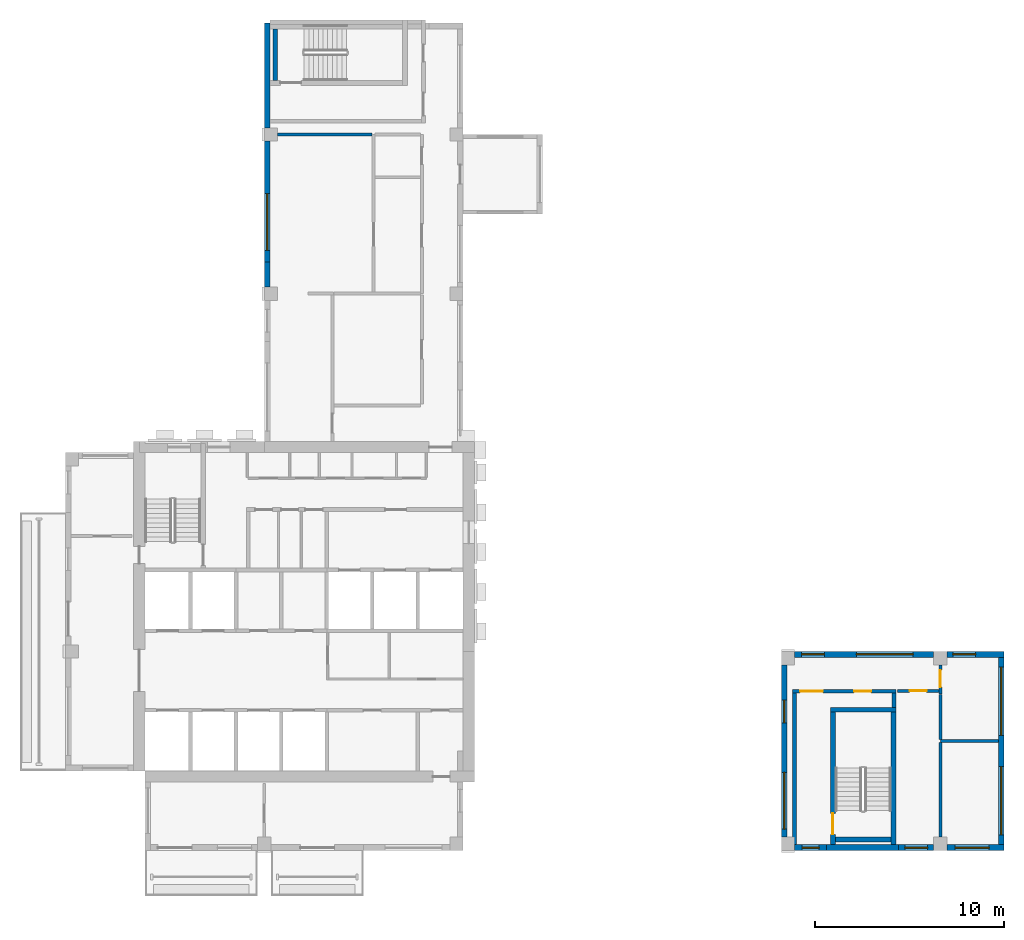
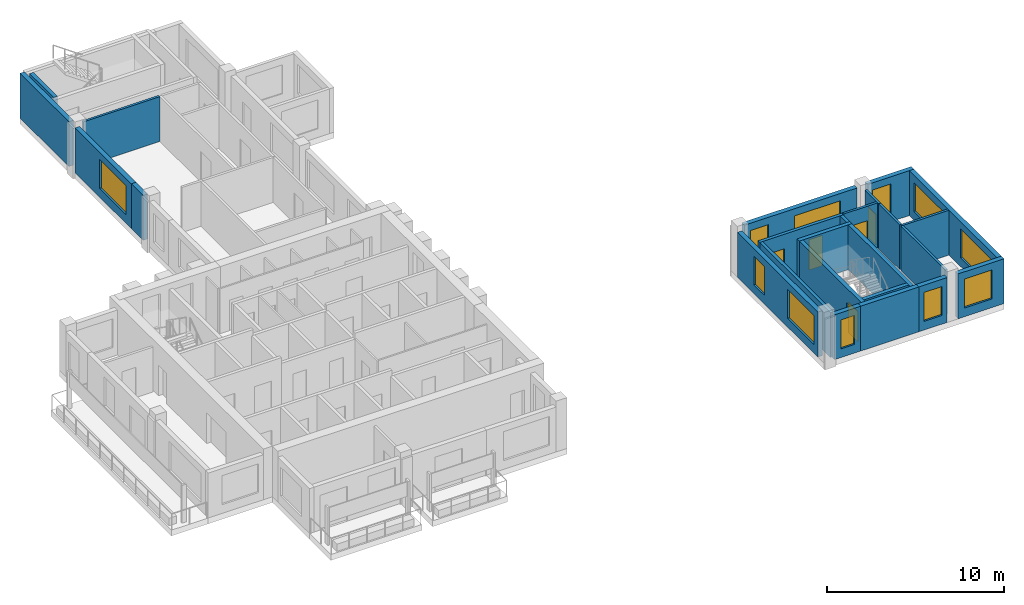
# One storey, part 4 of 9: 25 walls, 11 windows, 5 doors, 16 openings.
"""IFC4 building model written with IfcOpenShell, lengths in metres."""

from ifc_helpers import new_model, si_unit, direction, frame, frame_2d, origin, place, context, subcontext, project, spatial, rectangle, extrude, source, transform, mapped, material, layer, layer_set, type_object, element, fill, save


model = new_model("IFC4")

# Units and contexts
model_context = context("Model", 3, precision=1e-05, world=origin(), true_north=direction((0.0, 1.0)))
body_context = subcontext(model_context, "Body", "Model", "MODEL_VIEW")
ifc_project = project(units=[si_unit("LENGTHUNIT", "METRE"), si_unit("AREAUNIT", "SQUARE_METRE"), si_unit("VOLUMEUNIT", "CUBIC_METRE"), si_unit("PLANEANGLEUNIT", "RADIAN"), si_unit("MASSUNIT", "GRAM", prefix="KILO")], contexts=[model_context])

# Site, building, storey
site_placement = place(None, origin())
site = spatial("IfcSite", under=ifc_project, at=site_placement, CompositionType="ELEMENT")
building_placement = place(site_placement, origin())
building = spatial("IfcBuilding", under=site, at=building_placement, Name="Aurelian Terraces", CompositionType="ELEMENT")
storey_placement = place(building_placement, frame((0.0, 0.0, 298.5)))
storey = spatial("IfcBuildingStorey", under=building, at=storey_placement, Name="L68", CompositionType="ELEMENT", Elevation=298.5)

# Wall, opening, window
ifc_material_1 = material(Name="Terracotta rainscreen cladding", Category="masonry")
ifc_layer_1 = layer(ifc_material_1, 0.3)
ifc_layer_set_1 = layer_set([ifc_layer_1], Name="EW-300")
wall_type_1 = type_object("IfcWallType", Name="EW-300", PredefinedType="STANDARD", material=ifc_layer_set_1)
shared_shape_1 = source(origin(), body_context, "Body", "SweptSolid", [
    extrude(rectangle(XDim=3.01, YDim=0.3, at=frame_2d((1.505, 0.0))), origin(), (0.0, 0.0, 1.0), 3.1),
])
wall_1_placement = place(storey_placement, frame((46.55, 0.15, 0.0), z_axis=(0.0, 0.0, 1.0), x_axis=(1.0, 0.0, 0.0)))
wall_1 = element("IfcWall", 1, at=wall_1_placement, inside=storey, type_object=wall_type_1, Name="External wall L68 F13.24", PredefinedType="STANDARD", context=body_context, shape_type="MappedRepresentation", body=[
    mapped(shared_shape_1, transform((0.0, 0.0, 0.0), scale=1.0)),
])
shared_shape_2 = source(origin(), body_context, "Body", "SweptSolid", [
    extrude(rectangle(XDim=1.8, YDim=2.0, at=frame_2d((0.9, 1.0))), frame((0.0, 0.16, 0.0), z_axis=(0.0, -1.0, 0.0), x_axis=(1.0, 0.0, 0.0)), (0.0, 0.0, 1.0), 0.32),
])
opening_1_placement = place(wall_1_placement, frame((0.43, 0.0, 0.6)))
opening_1 = element("IfcOpeningElement", 2, at=opening_1_placement, cuts=wall_1, Name="Opening W1820", PredefinedType="OPENING", context=body_context, shape_type="MappedRepresentation", body=[
    mapped(shared_shape_2, transform((0.0, 0.0, 0.0), scale=1.0)),
])
ifc_material_2 = material(Name="Clear glazing", Category="glass")
window_type_1 = type_object("IfcWindowType", Name="W-1800x2000", PartitioningType="SINGLE_PANEL", PredefinedType="WINDOW", material=ifc_material_2)
shared_shape_3 = source(origin(), body_context, "Body", "SweptSolid", [
    extrude(rectangle(XDim=1.8, YDim=2.0, at=frame_2d((0.9, 1.0))), frame((0.0, 0.03, 0.0), z_axis=(0.0, -1.0, 0.0), x_axis=(1.0, 0.0, 0.0)), (0.0, 0.0, 1.0), 0.06),
])
window_1_placement = place(opening_1_placement, origin())
window_1 = element("IfcWindow", 3, at=window_1_placement, inside=storey, type_object=window_type_1, Name="Window L68 L68-F13-24-0", OverallHeight=2.0, OverallWidth=1.8, PartitioningType="SINGLE_PANEL", PredefinedType="WINDOW", context=body_context, shape_type="MappedRepresentation", body=[
    mapped(shared_shape_3, transform((0.0, 0.0, 0.0), scale=1.0)),
])
fill(opening_1, window_1)

wall_2_placement = place(storey_placement, frame((49.56, 10.35, 0.0), z_axis=(0.0, 0.0, 1.0), x_axis=(-1.0, 0.0, 0.0)))
wall_2 = element("IfcWall", 4, at=wall_2_placement, inside=storey, type_object=wall_type_1, Name="External wall L68 F15.26", PredefinedType="STANDARD", context=body_context, shape_type="MappedRepresentation", body=[
    mapped(shared_shape_1, transform((0.0, 0.0, 0.0), scale=1.0)),
])
shared_shape_4 = source(origin(), body_context, "Body", "SweptSolid", [
    extrude(rectangle(XDim=1.2, YDim=2.0, at=frame_2d((0.6, 1.0))), frame((0.0, 0.16, 0.0), z_axis=(0.0, -1.0, 0.0), x_axis=(1.0, 0.0, 0.0)), (0.0, 0.0, 1.0), 0.32),
])
opening_2_placement = place(wall_2_placement, frame((1.5, 0.0, 0.6)))
opening_2 = element("IfcOpeningElement", 5, at=opening_2_placement, cuts=wall_2, Name="Opening W1220", PredefinedType="OPENING", context=body_context, shape_type="MappedRepresentation", body=[
    mapped(shared_shape_4, transform((0.0, 0.0, 0.0), scale=1.0)),
])
window_type_2 = type_object("IfcWindowType", Name="W-1200x2000", PartitioningType="SINGLE_PANEL", PredefinedType="WINDOW", material=ifc_material_2)
shared_shape_5 = source(origin(), body_context, "Body", "SweptSolid", [
    extrude(rectangle(XDim=1.2, YDim=2.0, at=frame_2d((0.6, 1.0))), frame((0.0, 0.03, 0.0), z_axis=(0.0, -1.0, 0.0), x_axis=(1.0, 0.0, 0.0)), (0.0, 0.0, 1.0), 0.06),
])
window_2_placement = place(opening_2_placement, origin())
window_2 = element("IfcWindow", 6, at=window_2_placement, inside=storey, type_object=window_type_2, Name="Window L68 L68-F15-26-0", OverallHeight=2.0, OverallWidth=1.2, PartitioningType="SINGLE_PANEL", PredefinedType="WINDOW", context=body_context, shape_type="MappedRepresentation", body=[
    mapped(shared_shape_5, transform((0.0, 0.0, 0.0), scale=1.0)),
])
fill(opening_2, window_2)

# Wall
ifc_material_3 = material(Name="Concrete fc' 40 MPa", Category="concrete")
ifc_layer_2 = layer(ifc_material_3, 0.3)
ifc_layer_set_2 = layer_set([ifc_layer_2], Name="STAIR BAY WALL 300")
wall_type_2 = type_object("IfcWallType", Name="STAIR BAY WALL 300", PredefinedType="SOLIDWALL", material=ifc_layer_set_2)
shared_shape_6 = source(origin(), body_context, "Body", "SweptSolid", [
    extrude(rectangle(XDim=3.8, YDim=0.3, at=frame_2d((1.9, 0.0))), origin(), (0.0, 0.0, 1.0), 3.1),
])
wall_3_placement = place(storey_placement, frame((40.2, 0.15, 0.0), z_axis=(0.0, 0.0, 1.0), x_axis=(1.0, 0.0, 0.0)))
element("IfcWall", 7, at=wall_3_placement, inside=storey, type_object=wall_type_2, Name="Stair bay wall L68 F13.23", PredefinedType="SOLIDWALL", context=body_context, shape_type="MappedRepresentation", body=[
    mapped(shared_shape_6, transform((0.0, 0.0, 0.0), scale=1.0)),
])

# Wall, opening, window
shared_shape_7 = source(origin(), body_context, "Body", "SweptSolid", [
    extrude(rectangle(XDim=1.85, YDim=0.3, at=frame_2d((0.925, 0.0))), origin(), (0.0, 0.0, 1.0), 3.1),
])
wall_4_placement = place(storey_placement, frame((44.0, 0.15, 0.0), z_axis=(0.0, 0.0, 1.0), x_axis=(1.0, 0.0, 0.0)))
wall_4 = element("IfcWall", 8, at=wall_4_placement, inside=storey, type_object=wall_type_1, Name="External wall L68 F13.23", PredefinedType="STANDARD", context=body_context, shape_type="MappedRepresentation", body=[
    mapped(shared_shape_7, transform((0.0, 0.0, 0.0), scale=1.0)),
])
opening_3_placement = place(wall_4_placement, frame((0.325, 0.0, 0.6)))
opening_3 = element("IfcOpeningElement", 9, at=opening_3_placement, cuts=wall_4, Name="Opening W1220", PredefinedType="OPENING", context=body_context, shape_type="MappedRepresentation", body=[
    mapped(shared_shape_4, transform((0.0, 0.0, 0.0), scale=1.0)),
])
window_3_placement = place(opening_3_placement, origin())
window_3 = element("IfcWindow", 10, at=window_3_placement, inside=storey, type_object=window_type_2, Name="Window L68 L68-F13-23-P2", OverallHeight=2.0, OverallWidth=1.2, PartitioningType="SINGLE_PANEL", PredefinedType="WINDOW", context=body_context, shape_type="MappedRepresentation", body=[
    mapped(shared_shape_5, transform((0.0, 0.0, 0.0), scale=1.0)),
])
fill(opening_3, window_3)

# Wall, openings, windows
shared_shape_8 = source(origin(), body_context, "Body", "SweptSolid", [
    extrude(rectangle(XDim=10.5, YDim=0.3, at=frame_2d((5.25, 0.0))), origin(), (0.0, 0.0, 1.0), 3.1),
])
wall_5_placement = place(storey_placement, frame((49.41, 0.0, 0.0), z_axis=(0.0, 0.0, 1.0), x_axis=(0.0, 1.0, 0.0)))
wall_5 = element("IfcWall", 11, at=wall_5_placement, inside=storey, type_object=wall_type_1, Name="External wall L68 F14.25", PredefinedType="STANDARD", context=body_context, shape_type="MappedRepresentation", body=[
    mapped(shared_shape_8, transform((0.0, 0.0, 0.0), scale=1.0)),
])
shared_shape_9 = source(origin(), body_context, "Body", "SweptSolid", [
    extrude(rectangle(XDim=3.6, YDim=2.0, at=frame_2d((1.8, 1.0))), frame((0.0, 0.16, 0.0), z_axis=(0.0, -1.0, 0.0), x_axis=(1.0, 0.0, 0.0)), (0.0, 0.0, 1.0), 0.32),
])
opening_4_placement = place(wall_5_placement, frame((0.825, 0.0, 0.6)))
opening_4 = element("IfcOpeningElement", 12, at=opening_4_placement, cuts=wall_5, Name="Opening W3620", PredefinedType="OPENING", context=body_context, shape_type="MappedRepresentation", body=[
    mapped(shared_shape_9, transform((0.0, 0.0, 0.0), scale=1.0)),
])
opening_5_placement = place(wall_5_placement, frame((6.075, 0.0, 0.6)))
opening_5 = element("IfcOpeningElement", 13, at=opening_5_placement, cuts=wall_5, Name="Opening W3620", PredefinedType="OPENING", context=body_context, shape_type="MappedRepresentation", body=[
    mapped(shared_shape_9, transform((0.0, 0.0, 0.0), scale=1.0)),
])
window_type_3 = type_object("IfcWindowType", Name="W-3600x2000", PartitioningType="SINGLE_PANEL", PredefinedType="WINDOW", material=ifc_material_2)
shared_shape_10 = source(origin(), body_context, "Body", "SweptSolid", [
    extrude(rectangle(XDim=3.6, YDim=2.0, at=frame_2d((1.8, 1.0))), frame((0.0, 0.03, 0.0), z_axis=(0.0, -1.0, 0.0), x_axis=(1.0, 0.0, 0.0)), (0.0, 0.0, 1.0), 0.06),
])
window_4_placement = place(opening_4_placement, origin())
window_4 = element("IfcWindow", 14, at=window_4_placement, inside=storey, type_object=window_type_3, Name="Window L68 L68-F14-25-0", OverallHeight=2.0, OverallWidth=3.6, PartitioningType="SINGLE_PANEL", PredefinedType="WINDOW", context=body_context, shape_type="MappedRepresentation", body=[
    mapped(shared_shape_10, transform((0.0, 0.0, 0.0), scale=1.0)),
])
fill(opening_4, window_4)
window_5_placement = place(opening_5_placement, origin())
window_5 = element("IfcWindow", 15, at=window_5_placement, inside=storey, type_object=window_type_3, Name="Window L68 L68-F14-25-1", OverallHeight=2.0, OverallWidth=3.6, PartitioningType="SINGLE_PANEL", PredefinedType="WINDOW", context=body_context, shape_type="MappedRepresentation", body=[
    mapped(shared_shape_10, transform((0.0, 0.0, 0.0), scale=1.0)),
])
fill(opening_5, window_5)

# Wall
shared_shape_11 = source(origin(), body_context, "Body", "SweptSolid", [
    extrude(rectangle(XDim=5.53, YDim=0.3, at=frame_2d((2.765, 0.0))), origin(), (0.0, 0.0, 1.0), 3.1),
])
wall_6_placement = place(storey_placement, frame((10.65, 43.68, 0.0), z_axis=(0.0, 0.0, 1.0), x_axis=(0.0, -1.0, 0.0)))
element("IfcWall", 16, at=wall_6_placement, inside=storey, type_object=wall_type_2, Name="Stair bay wall L68 F04.11", PredefinedType="SOLIDWALL", context=body_context, shape_type="MappedRepresentation", body=[
    mapped(shared_shape_11, transform((0.0, 0.0, 0.0), scale=1.0)),
])

# Wall, opening, window
shared_shape_12 = source(origin(), body_context, "Body", "SweptSolid", [
    extrude(rectangle(XDim=6.37, YDim=0.3, at=frame_2d((3.185, 0.0))), origin(), (0.0, 0.0, 1.0), 3.1),
])
wall_7_placement = place(storey_placement, frame((10.65, 37.45, 0.0), z_axis=(0.0, 0.0, 1.0), x_axis=(0.0, -1.0, 0.0)))
wall_7 = element("IfcWall", 17, at=wall_7_placement, inside=storey, type_object=wall_type_1, Name="External wall L68 F04.11", PredefinedType="STANDARD", context=body_context, shape_type="MappedRepresentation", body=[
    mapped(shared_shape_12, transform((0.0, 0.0, 0.0), scale=1.0)),
])
shared_shape_13 = source(origin(), body_context, "Body", "SweptSolid", [
    extrude(rectangle(XDim=3.0, YDim=2.0, at=frame_2d((1.5, 1.0))), frame((0.0, 0.16, 0.0), z_axis=(0.0, -1.0, 0.0), x_axis=(1.0, 0.0, 0.0)), (0.0, 0.0, 1.0), 0.32),
])
opening_6_placement = place(wall_7_placement, frame((2.77, 0.0, 0.6)))
opening_6 = element("IfcOpeningElement", 18, at=opening_6_placement, cuts=wall_7, Name="Opening W3020", PredefinedType="OPENING", context=body_context, shape_type="MappedRepresentation", body=[
    mapped(shared_shape_13, transform((0.0, 0.0, 0.0), scale=1.0)),
])
window_type_4 = type_object("IfcWindowType", Name="W-3000x2000", PartitioningType="SINGLE_PANEL", PredefinedType="WINDOW", material=ifc_material_2)
shared_shape_14 = source(origin(), body_context, "Body", "SweptSolid", [
    extrude(rectangle(XDim=3.0, YDim=2.0, at=frame_2d((1.5, 1.0))), frame((0.0, 0.03, 0.0), z_axis=(0.0, -1.0, 0.0), x_axis=(1.0, 0.0, 0.0)), (0.0, 0.0, 1.0), 0.06),
])
window_6_placement = place(opening_6_placement, origin())
window_6 = element("IfcWindow", 19, at=window_6_placement, inside=storey, type_object=window_type_4, Name="Window L68 L68-F04-11-2", OverallHeight=2.0, OverallWidth=3.0, PartitioningType="SINGLE_PANEL", PredefinedType="WINDOW", context=body_context, shape_type="MappedRepresentation", body=[
    mapped(shared_shape_14, transform((0.0, 0.0, 0.0), scale=1.0)),
])
fill(opening_6, window_6)

# Wall
shared_shape_15 = source(origin(), body_context, "Body", "SweptSolid", [
    extrude(rectangle(XDim=1.33, YDim=0.3, at=frame_2d((0.665, 0.0))), origin(), (0.0, 0.0, 1.0), 3.1),
])
wall_8_placement = place(storey_placement, frame((10.65, 31.08, 0.0), z_axis=(0.0, 0.0, 1.0), x_axis=(0.0, -1.0, 0.0)))
element("IfcWall", 20, at=wall_8_placement, inside=storey, type_object=wall_type_1, Name="External wall L68 F04.12", PredefinedType="STANDARD", context=body_context, shape_type="MappedRepresentation", body=[
    mapped(shared_shape_15, transform((0.0, 0.0, 0.0), scale=1.0)),
])

# Wall, opening, window
shared_shape_16 = source(origin(), body_context, "Body", "SweptSolid", [
    extrude(rectangle(XDim=1.7, YDim=0.3, at=frame_2d((0.85, 0.0))), origin(), (0.0, 0.0, 1.0), 3.1),
])
wall_9_placement = place(storey_placement, frame((38.5, 0.15, 0.0), z_axis=(0.0, 0.0, 1.0), x_axis=(1.0, 0.0, 0.0)))
wall_9 = element("IfcWall", 21, at=wall_9_placement, inside=storey, type_object=wall_type_1, Name="External wall L68 F13.23", PredefinedType="STANDARD", context=body_context, shape_type="MappedRepresentation", body=[
    mapped(shared_shape_16, transform((0.0, 0.0, 0.0), scale=1.0)),
])
shared_shape_17 = source(origin(), body_context, "Body", "SweptSolid", [
    extrude(rectangle(XDim=0.9, YDim=2.0, at=frame_2d((0.45, 1.0))), frame((0.0, 0.16, 0.0), z_axis=(0.0, -1.0, 0.0), x_axis=(1.0, 0.0, 0.0)), (0.0, 0.0, 1.0), 0.32),
])
opening_7_placement = place(wall_9_placement, frame((0.4, 0.0, 0.6)))
opening_7 = element("IfcOpeningElement", 22, at=opening_7_placement, cuts=wall_9, Name="Opening W0920", PredefinedType="OPENING", context=body_context, shape_type="MappedRepresentation", body=[
    mapped(shared_shape_17, transform((0.0, 0.0, 0.0), scale=1.0)),
])
window_type_5 = type_object("IfcWindowType", Name="W-900x2000", PartitioningType="SINGLE_PANEL", PredefinedType="WINDOW", material=ifc_material_2)
shared_shape_18 = source(origin(), body_context, "Body", "SweptSolid", [
    extrude(rectangle(XDim=0.9, YDim=2.0, at=frame_2d((0.45, 1.0))), frame((0.0, 0.03, 0.0), z_axis=(0.0, -1.0, 0.0), x_axis=(1.0, 0.0, 0.0)), (0.0, 0.0, 1.0), 0.06),
])
window_7_placement = place(opening_7_placement, origin())
window_7 = element("IfcWindow", 23, at=window_7_placement, inside=storey, type_object=window_type_5, Name="Window L68 L68-F13-23-P0", OverallHeight=2.0, OverallWidth=0.9, PartitioningType="SINGLE_PANEL", PredefinedType="WINDOW", context=body_context, shape_type="MappedRepresentation", body=[
    mapped(shared_shape_18, transform((0.0, 0.0, 0.0), scale=1.0)),
])
fill(opening_7, window_7)

# Wall, openings, windows
shared_shape_19 = source(origin(), body_context, "Body", "SweptSolid", [
    extrude(rectangle(XDim=7.35, YDim=0.3, at=frame_2d((3.675, 0.0))), origin(), (0.0, 0.0, 1.0), 3.1),
])
wall_10_placement = place(storey_placement, frame((45.85, 10.35, 0.0), z_axis=(0.0, 0.0, 1.0), x_axis=(-1.0, 0.0, 0.0)))
wall_10 = element("IfcWall", 24, at=wall_10_placement, inside=storey, type_object=wall_type_1, Name="External wall L68 F15.26", PredefinedType="STANDARD", context=body_context, shape_type="MappedRepresentation", body=[
    mapped(shared_shape_19, transform((0.0, 0.0, 0.0), scale=1.0)),
])
opening_8_placement = place(wall_10_placement, frame((1.09, 0.0, 0.6)))
opening_8 = element("IfcOpeningElement", 25, at=opening_8_placement, cuts=wall_10, Name="Opening W3020", PredefinedType="OPENING", context=body_context, shape_type="MappedRepresentation", body=[
    mapped(shared_shape_13, transform((0.0, 0.0, 0.0), scale=1.0)),
])
opening_9_placement = place(wall_10_placement, frame((5.77, 0.0, 0.6)))
opening_9 = element("IfcOpeningElement", 26, at=opening_9_placement, cuts=wall_10, Name="Opening W1220", PredefinedType="OPENING", context=body_context, shape_type="MappedRepresentation", body=[
    mapped(shared_shape_4, transform((0.0, 0.0, 0.0), scale=1.0)),
])
window_8_placement = place(opening_8_placement, origin())
window_8 = element("IfcWindow", 27, at=window_8_placement, inside=storey, type_object=window_type_4, Name="Window L68 L68-F15-26-1", OverallHeight=2.0, OverallWidth=3.0, PartitioningType="SINGLE_PANEL", PredefinedType="WINDOW", context=body_context, shape_type="MappedRepresentation", body=[
    mapped(shared_shape_14, transform((0.0, 0.0, 0.0), scale=1.0)),
])
fill(opening_8, window_8)
window_9_placement = place(opening_9_placement, origin())
window_9 = element("IfcWindow", 28, at=window_9_placement, inside=storey, type_object=window_type_2, Name="Window L68 L68-F15-26-2", OverallHeight=2.0, OverallWidth=1.2, PartitioningType="SINGLE_PANEL", PredefinedType="WINDOW", context=body_context, shape_type="MappedRepresentation", body=[
    mapped(shared_shape_5, transform((0.0, 0.0, 0.0), scale=1.0)),
])
fill(opening_9, window_9)

shared_shape_20 = source(origin(), body_context, "Body", "SweptSolid", [
    extrude(rectangle(XDim=9.1, YDim=0.3, at=frame_2d((4.55, 0.0))), origin(), (0.0, 0.0, 1.0), 3.1),
])
wall_11_placement = place(storey_placement, frame((37.95, 9.8, 0.0), z_axis=(0.0, 0.0, 1.0), x_axis=(0.0, -1.0, 0.0)))
wall_11 = element("IfcWall", 29, at=wall_11_placement, inside=storey, type_object=wall_type_1, Name="External wall L68 F16.27", PredefinedType="STANDARD", context=body_context, shape_type="MappedRepresentation", body=[
    mapped(shared_shape_20, transform((0.0, 0.0, 0.0), scale=1.0)),
])
opening_10_placement = place(wall_11_placement, frame((1.8625, 0.0, 0.6)))
opening_10 = element("IfcOpeningElement", 30, at=opening_10_placement, cuts=wall_11, Name="Opening W1220", PredefinedType="OPENING", context=body_context, shape_type="MappedRepresentation", body=[
    mapped(shared_shape_4, transform((0.0, 0.0, 0.0), scale=1.0)),
])
opening_11_placement = place(wall_11_placement, frame((5.675, 0.0, 0.6)))
opening_11 = element("IfcOpeningElement", 31, at=opening_11_placement, cuts=wall_11, Name="Opening W3020", PredefinedType="OPENING", context=body_context, shape_type="MappedRepresentation", body=[
    mapped(shared_shape_13, transform((0.0, 0.0, 0.0), scale=1.0)),
])
window_10_placement = place(opening_11_placement, origin())
window_10 = element("IfcWindow", 32, at=window_10_placement, inside=storey, type_object=window_type_4, Name="Window L68 L68-F16-27-1", OverallHeight=2.0, OverallWidth=3.0, PartitioningType="SINGLE_PANEL", PredefinedType="WINDOW", context=body_context, shape_type="MappedRepresentation", body=[
    mapped(shared_shape_14, transform((0.0, 0.0, 0.0), scale=1.0)),
])
fill(opening_11, window_10)
window_11_placement = place(opening_10_placement, origin())
window_11 = element("IfcWindow", 33, at=window_11_placement, inside=storey, type_object=window_type_2, Name="Window L68 L68-F16-27-0", OverallHeight=2.0, OverallWidth=1.2, PartitioningType="SINGLE_PANEL", PredefinedType="WINDOW", context=body_context, shape_type="MappedRepresentation", body=[
    mapped(shared_shape_5, transform((0.0, 0.0, 0.0), scale=1.0)),
])
fill(opening_10, window_11)

# Wall, opening, door
ifc_layer_3 = layer(ifc_material_3, 0.25)
ifc_layer_set_3 = layer_set([ifc_layer_3], Name="Stair enclosure wall 250")
wall_type_3 = type_object("IfcWallType", Name="Stair enclosure wall 250", PredefinedType="SOLIDWALL", material=ifc_layer_set_3)
shared_shape_21 = source(origin(), body_context, "Body", "SweptSolid", [
    extrude(rectangle(XDim=7.0, YDim=0.25, at=frame_2d((3.5, 0.0))), origin(), (0.0, 0.0, 1.0), 3.1),
])
wall_12_placement = place(storey_placement, frame((40.525, 0.3, 0.0), z_axis=(0.0, 0.0, 1.0), x_axis=(0.0, 1.0, 0.0)))
wall_12 = element("IfcWall", 34, at=wall_12_placement, inside=storey, type_object=wall_type_3, Name="L68 core wall ST-S2-W", PredefinedType="SOLIDWALL", context=body_context, shape_type="MappedRepresentation", body=[
    mapped(shared_shape_21, transform((0.0, 0.0, 0.0), scale=1.0)),
])
shared_shape_22 = source(origin(), body_context, "Body", "SweptSolid", [
    extrude(rectangle(XDim=1.1, YDim=2.1, at=frame_2d((0.55, 1.05))), frame((0.0, 0.135, 0.0), z_axis=(0.0, -1.0, 0.0), x_axis=(1.0, 0.0, 0.0)), (0.0, 0.0, 1.0), 0.27),
])
opening_12_placement = place(wall_12_placement, frame((0.55, 0.0, 0.0)))
opening_12 = element("IfcOpeningElement", 35, at=opening_12_placement, cuts=wall_12, Name="Opening 67125", PredefinedType="OPENING", context=body_context, shape_type="MappedRepresentation", body=[
    mapped(shared_shape_22, transform((0.0, 0.0, 0.0), scale=1.0)),
])
ifc_material_4 = material(Name="Steel door leaf", Category="steel")
door_type_1 = type_object("IfcDoorType", Name="Core fire door 1100x2100", OperationType="SINGLE_SWING_LEFT", PredefinedType="DOOR", material=ifc_material_4)
shared_shape_23 = source(origin(), body_context, "Body", "SweptSolid", [
    extrude(rectangle(XDim=1.1, YDim=2.1, at=frame_2d((0.55, 1.05))), frame((0.0, 0.025, 0.0), z_axis=(0.0, -1.0, 0.0), x_axis=(1.0, 0.0, 0.0)), (0.0, 0.0, 1.0), 0.05),
])
door_1_placement = place(opening_12_placement, origin())
door_1 = element("IfcDoor", 36, at=door_1_placement, inside=storey, type_object=door_type_1, Name="Stair door 67125", OperationType="SINGLE_SWING_LEFT", OverallHeight=2.1, OverallWidth=1.1, PredefinedType="DOOR", context=body_context, shape_type="MappedRepresentation", body=[
    mapped(shared_shape_23, transform((0.0, 0.0, 0.0), scale=1.0)),
])
fill(opening_12, door_1)

# Walls
wall_13_placement = place(storey_placement, frame((43.725, 0.3, 0.0), z_axis=(0.0, 0.0, 1.0), x_axis=(0.0, 1.0, 0.0)))
element("IfcWall", 37, at=wall_13_placement, inside=storey, type_object=wall_type_3, Name="L68 core wall ST-S2-E", PredefinedType="SOLIDWALL", context=body_context, shape_type="MappedRepresentation", body=[
    mapped(shared_shape_21, transform((0.0, 0.0, 0.0), scale=1.0)),
])
shared_shape_24 = source(origin(), body_context, "Body", "SweptSolid", [
    extrude(rectangle(XDim=3.45, YDim=0.25, at=frame_2d((1.725, 0.0))), origin(), (0.0, 0.0, 1.0), 3.1),
])
wall_14_placement = place(storey_placement, frame((40.4, 7.425, 0.0), z_axis=(0.0, 0.0, 1.0), x_axis=(1.0, 0.0, 0.0)))
element("IfcWall", 38, at=wall_14_placement, inside=storey, type_object=wall_type_3, Name="L68 core wall ST-S2-N", PredefinedType="SOLIDWALL", context=body_context, shape_type="MappedRepresentation", body=[
    mapped(shared_shape_24, transform((0.0, 0.0, 0.0), scale=1.0)),
])
ifc_material_5 = material(Name="Gypsum board on steel studs", Category="steel")
ifc_layer_4 = layer(ifc_material_5, 0.2)
ifc_layer_set_4 = layer_set([ifc_layer_4], Name="Core partition 200")
wall_type_4 = type_object("IfcWallType", Name="Core partition 200", PredefinedType="PARTITIONING", material=ifc_layer_set_4)
shared_shape_25 = source(origin(), body_context, "Body", "SweptSolid", [
    extrude(rectangle(XDim=8.0, YDim=0.2, at=frame_2d((4.0, 0.0))), origin(), (0.0, 0.0, 1.0), 3.1),
])
wall_15_placement = place(storey_placement, frame((38.5, 0.3, 0.0), z_axis=(0.0, 0.0, 1.0), x_axis=(0.0, 1.0, 0.0)))
element("IfcWall", 39, at=wall_15_placement, inside=storey, type_object=wall_type_4, Name="L68 core wall ST-S2-VW", PredefinedType="PARTITIONING", context=body_context, shape_type="MappedRepresentation", body=[
    mapped(shared_shape_25, transform((0.0, 0.0, 0.0), scale=1.0)),
])

# Wall, openings, doors
shared_shape_26 = source(origin(), body_context, "Body", "SweptSolid", [
    extrude(rectangle(XDim=5.45, YDim=0.2, at=frame_2d((2.725, 0.0))), origin(), (0.0, 0.0, 1.0), 3.1),
])
wall_16_placement = place(storey_placement, frame((38.4, 8.4, 0.0), z_axis=(0.0, 0.0, 1.0), x_axis=(1.0, 0.0, 0.0)))
wall_16 = element("IfcWall", 40, at=wall_16_placement, inside=storey, type_object=wall_type_4, Name="L68 core wall ST-S2-BN", PredefinedType="PARTITIONING", context=body_context, shape_type="MappedRepresentation", body=[
    mapped(shared_shape_26, transform((0.0, 0.0, 0.0), scale=1.0)),
])
shared_shape_27 = source(origin(), body_context, "Body", "SweptSolid", [
    extrude(rectangle(XDim=1.2, YDim=2.1, at=frame_2d((0.6, 1.05))), frame((0.0, 0.11, 0.0), z_axis=(0.0, -1.0, 0.0), x_axis=(1.0, 0.0, 0.0)), (0.0, 0.0, 1.0), 0.22),
])
opening_13_placement = place(wall_16_placement, frame((0.4, 0.0, 0.0)))
opening_13 = element("IfcOpeningElement", 41, at=opening_13_placement, cuts=wall_16, Name="Opening 67126", PredefinedType="OPENING", context=body_context, shape_type="MappedRepresentation", body=[
    mapped(shared_shape_27, transform((0.0, 0.0, 0.0), scale=1.0)),
])
shared_shape_28 = source(origin(), body_context, "Body", "SweptSolid", [
    extrude(rectangle(XDim=0.9, YDim=2.1, at=frame_2d((0.45, 1.05))), frame((0.0, 0.11, 0.0), z_axis=(0.0, -1.0, 0.0), x_axis=(1.0, 0.0, 0.0)), (0.0, 0.0, 1.0), 0.22),
])
opening_14_placement = place(wall_16_placement, frame((3.25, 0.0, 0.0)))
opening_14 = element("IfcOpeningElement", 42, at=opening_14_placement, cuts=wall_16, Name="Opening 67127", PredefinedType="OPENING", context=body_context, shape_type="MappedRepresentation", body=[
    mapped(shared_shape_28, transform((0.0, 0.0, 0.0), scale=1.0)),
])
door_type_2 = type_object("IfcDoorType", Name="Core riser door 900x2100", OperationType="SINGLE_SWING_LEFT", PredefinedType="DOOR", material=ifc_material_4)
shared_shape_29 = source(origin(), body_context, "Body", "SweptSolid", [
    extrude(rectangle(XDim=0.9, YDim=2.1, at=frame_2d((0.45, 1.05))), frame((0.0, 0.025, 0.0), z_axis=(0.0, -1.0, 0.0), x_axis=(1.0, 0.0, 0.0)), (0.0, 0.0, 1.0), 0.05),
])
door_2_placement = place(opening_14_placement, origin())
door_2 = element("IfcDoor", 43, at=door_2_placement, inside=storey, type_object=door_type_2, Name="Riser door 67127", OperationType="SINGLE_SWING_LEFT", OverallHeight=2.1, OverallWidth=0.9, PredefinedType="DOOR", context=body_context, shape_type="MappedRepresentation", body=[
    mapped(shared_shape_29, transform((0.0, 0.0, 0.0), scale=1.0)),
])
fill(opening_14, door_2)
door_type_3 = type_object("IfcDoorType", Name="Core fire door 1200x2100 right", OperationType="SINGLE_SWING_RIGHT", PredefinedType="DOOR", material=ifc_material_4)
shared_shape_30 = source(origin(), body_context, "Body", "SweptSolid", [
    extrude(rectangle(XDim=1.2, YDim=2.1, at=frame_2d((0.6, 1.05))), frame((0.0, 0.025, 0.0), z_axis=(0.0, -1.0, 0.0), x_axis=(1.0, 0.0, 0.0)), (0.0, 0.0, 1.0), 0.05),
])
door_3_placement = place(opening_13_placement, origin())
door_3 = element("IfcDoor", 44, at=door_3_placement, inside=storey, type_object=door_type_3, Name="Vestibule door 67126", OperationType="SINGLE_SWING_RIGHT", OverallHeight=2.1, OverallWidth=1.2, PredefinedType="DOOR", context=body_context, shape_type="MappedRepresentation", body=[
    mapped(shared_shape_30, transform((0.0, 0.0, 0.0), scale=1.0)),
])
fill(opening_13, door_3)

# Walls
shared_shape_31 = source(origin(), body_context, "Body", "SweptSolid", [
    extrude(rectangle(XDim=0.75, YDim=0.2, at=frame_2d((0.375, 0.0))), origin(), (0.0, 0.0, 1.0), 3.1),
])
wall_17_placement = place(storey_placement, frame((43.75, 7.55, 0.0), z_axis=(0.0, 0.0, 1.0), x_axis=(0.0, 1.0, 0.0)))
element("IfcWall", 45, at=wall_17_placement, inside=storey, type_object=wall_type_4, Name="L68 core wall ST-S2-RE", PredefinedType="PARTITIONING", context=body_context, shape_type="MappedRepresentation", body=[
    mapped(shared_shape_31, transform((0.0, 0.0, 0.0), scale=1.0)),
])
shared_shape_32 = source(origin(), body_context, "Body", "SweptSolid", [
    extrude(rectangle(XDim=2.95, YDim=0.25, at=frame_2d((1.475, 0.0))), origin(), (0.0, 0.0, 1.0), 3.1),
])
wall_18_placement = place(storey_placement, frame((40.65, 0.575, 0.0), z_axis=(0.0, 0.0, 1.0), x_axis=(1.0, 0.0, 0.0)))
element("IfcWall", 46, at=wall_18_placement, inside=storey, type_object=wall_type_3, Name="L68 core wall ST-S2-SS", PredefinedType="SOLIDWALL", context=body_context, shape_type="MappedRepresentation", body=[
    mapped(shared_shape_32, transform((0.0, 0.0, 0.0), scale=1.0)),
])
shared_shape_33 = source(origin(), body_context, "Body", "SweptSolid", [
    extrude(rectangle(XDim=2.73, YDim=0.25, at=frame_2d((1.365, 0.0))), origin(), (0.0, 0.0, 1.0), 3.1),
])
wall_19_placement = place(storey_placement, frame((11.075, 40.65, 0.0), z_axis=(0.0, 0.0, 1.0), x_axis=(0.0, 1.0, 0.0)))
element("IfcWall", 47, at=wall_19_placement, inside=storey, type_object=wall_type_3, Name="L68 core wall ST-S3U-SS", PredefinedType="SOLIDWALL", context=body_context, shape_type="MappedRepresentation", body=[
    mapped(shared_shape_33, transform((0.0, 0.0, 0.0), scale=1.0)),
])
ifc_layer_5 = layer(ifc_material_5, 0.15)
ifc_layer_set_5 = layer_set([ifc_layer_5], Name="Partition 150")
wall_type_5 = type_object("IfcWallType", Name="Partition 150", PredefinedType="PARTITIONING", material=ifc_layer_set_5)
shared_shape_34 = source(origin(), body_context, "Body", "SweptSolid", [
    extrude(rectangle(XDim=3.06, YDim=0.15, at=frame_2d((1.53, 0.0))), origin(), (0.0, 0.0, 1.0), 3.1),
])
wall_20_placement = place(storey_placement, frame((49.26, 5.775, 0.0), z_axis=(0.0, 0.0, 1.0), x_axis=(-1.0, 0.0, 0.0)))
element("IfcWall", 48, at=wall_20_placement, inside=storey, type_object=wall_type_5, Name="Partition", PredefinedType="PARTITIONING", context=body_context, shape_type="MappedRepresentation", body=[
    mapped(shared_shape_34, transform((0.0, 0.0, 0.0), scale=1.0)),
])

# Wall, opening, door
shared_shape_35 = source(origin(), body_context, "Body", "SweptSolid", [
    extrude(rectangle(XDim=2.2, YDim=0.15, at=frame_2d((1.1, 0.0))), origin(), (0.0, 0.0, 1.0), 3.1),
])
wall_21_placement = place(storey_placement, frame((46.125, 8.425, 0.0), z_axis=(0.0, 0.0, 1.0), x_axis=(-1.0, 0.0, 0.0)))
wall_21 = element("IfcWall", 49, at=wall_21_placement, inside=storey, type_object=wall_type_5, Name="Partition", PredefinedType="PARTITIONING", context=body_context, shape_type="MappedRepresentation", body=[
    mapped(shared_shape_35, transform((0.0, 0.0, 0.0), scale=1.0)),
])
shared_shape_36 = source(origin(), body_context, "Body", "SweptSolid", [
    extrude(rectangle(XDim=0.9, YDim=2.1, at=frame_2d((0.45, 1.05))), frame((0.0, 0.085, 0.0), z_axis=(0.0, -1.0, 0.0), x_axis=(1.0, 0.0, 0.0)), (0.0, 0.0, 1.0), 0.17),
])
opening_15_placement = place(wall_21_placement, frame((0.65, 0.0, 0.0)))
opening_15 = element("IfcOpeningElement", 50, at=opening_15_placement, cuts=wall_21, Name="Opening 768002", PredefinedType="OPENING", context=body_context, shape_type="MappedRepresentation", body=[
    mapped(shared_shape_36, transform((0.0, 0.0, 0.0), scale=1.0)),
])
ifc_material_6 = material(Name="Timber door leaf", Category="wood")
door_type_4 = type_object("IfcDoorType", Name="Room door 900x2100 right", OperationType="SINGLE_SWING_RIGHT", PredefinedType="DOOR", material=ifc_material_6)
door_4_placement = place(opening_15_placement, origin())
door_4 = element("IfcDoor", 51, at=door_4_placement, inside=storey, type_object=door_type_4, Name="Door 768002", OperationType="SINGLE_SWING_RIGHT", OverallHeight=2.1, OverallWidth=0.9, PredefinedType="DOOR", context=body_context, shape_type="MappedRepresentation", body=[
    mapped(shared_shape_29, transform((0.0, 0.0, 0.0), scale=1.0)),
])
fill(opening_15, door_4)

# Walls
ifc_layer_6 = layer(ifc_material_5, 0.15)
ifc_layer_set_6 = layer_set([ifc_layer_6], Name="Fire partition 150")
wall_type_6 = type_object("IfcWallType", Name="Fire partition 150", PredefinedType="PARTITIONING", material=ifc_layer_set_6)
shared_shape_37 = source(origin(), body_context, "Body", "SweptSolid", [
    extrude(rectangle(XDim=5.001, YDim=0.15, at=frame_2d((2.5005, 0.0))), origin(), (0.0, 0.0, 1.0), 3.1),
])
for number, where, z_axis, x_axis, name in (
    (52, (46.2, 0.699, 0.0), (0.0, 0.0, 1.0), (0.0, 1.0, 0.0), "Party wall"),
    (53, (16.2, 37.8, 0.0), (0.0, 0.0, 1.0), (-1.0, 0.0, 0.0), "Party wall"),
):
    element("IfcWall", number, at=place(storey_placement, frame(where, z_axis=z_axis, x_axis=x_axis)), inside=storey, type_object=wall_type_6, Name=name, PredefinedType="PARTITIONING", context=body_context, shape_type="MappedRepresentation", body=[
        mapped(shared_shape_37, transform((0.0, 0.0, 0.0), scale=1.0)),
    ])

# Wall, opening, door
shared_shape_38 = source(origin(), body_context, "Body", "SweptSolid", [
    extrude(rectangle(XDim=1.551, YDim=0.15, at=frame_2d((0.7755, 0.0))), origin(), (0.0, 0.0, 1.0), 3.1),
])
wall_22_placement = place(storey_placement, frame((46.2, 9.801, 0.0), z_axis=(0.0, 0.0, 1.0), x_axis=(0.0, -1.0, 0.0)))
wall_22 = element("IfcWall", 54, at=wall_22_placement, inside=storey, type_object=wall_type_5, Name="Partition", PredefinedType="PARTITIONING", context=body_context, shape_type="MappedRepresentation", body=[
    mapped(shared_shape_38, transform((0.0, 0.0, 0.0), scale=1.0)),
])
opening_16_placement = place(wall_22_placement, frame((0.275, 0.0, 0.0)))
opening_16 = element("IfcOpeningElement", 55, at=opening_16_placement, cuts=wall_22, Name="Opening 768009", PredefinedType="OPENING", context=body_context, shape_type="MappedRepresentation", body=[
    mapped(shared_shape_36, transform((0.0, 0.0, 0.0), scale=1.0)),
])
door_type_5 = type_object("IfcDoorType", Name="Room door 900x2100 left", OperationType="SINGLE_SWING_LEFT", PredefinedType="DOOR", material=ifc_material_6)
door_5_placement = place(opening_16_placement, origin())
door_5 = element("IfcDoor", 56, at=door_5_placement, inside=storey, type_object=door_type_5, Name="Door 768009", OperationType="SINGLE_SWING_LEFT", OverallHeight=2.1, OverallWidth=0.9, PredefinedType="DOOR", context=body_context, shape_type="MappedRepresentation", body=[
    mapped(shared_shape_29, transform((0.0, 0.0, 0.0), scale=1.0)),
])
fill(opening_16, door_5)

# Wall
shared_shape_39 = source(origin(), body_context, "Body", "SweptSolid", [
    extrude(rectangle(XDim=2.38, YDim=0.15, at=frame_2d((1.19, 0.0))), origin(), (0.0, 0.0, 1.0), 3.1),
])
wall_23_placement = place(storey_placement, frame((46.2, 5.85, 0.0), z_axis=(0.0, 0.0, 1.0), x_axis=(0.0, 1.0, 0.0)))
element("IfcWall", 57, at=wall_23_placement, inside=storey, type_object=wall_type_6, Name="Party wall", PredefinedType="PARTITIONING", context=body_context, shape_type="MappedRepresentation", body=[
    mapped(shared_shape_39, transform((0.0, 0.0, 0.0), scale=1.0)),
])

save(model, "model.ifc")
